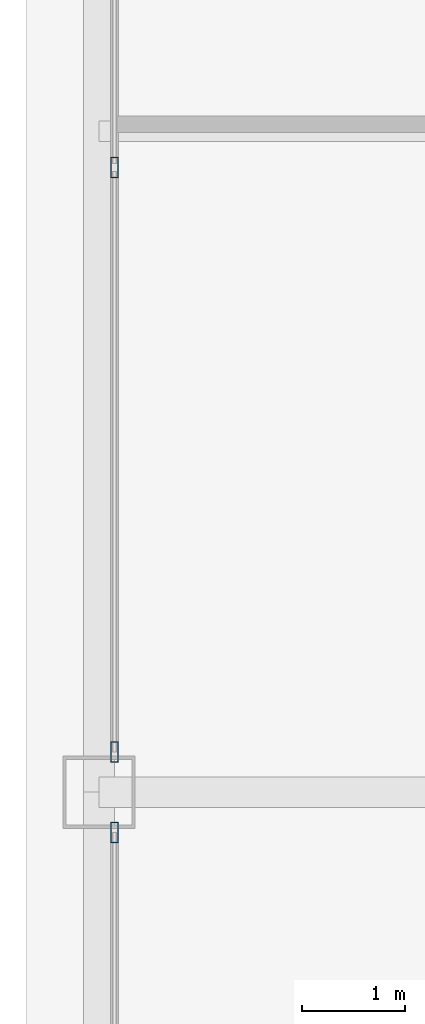
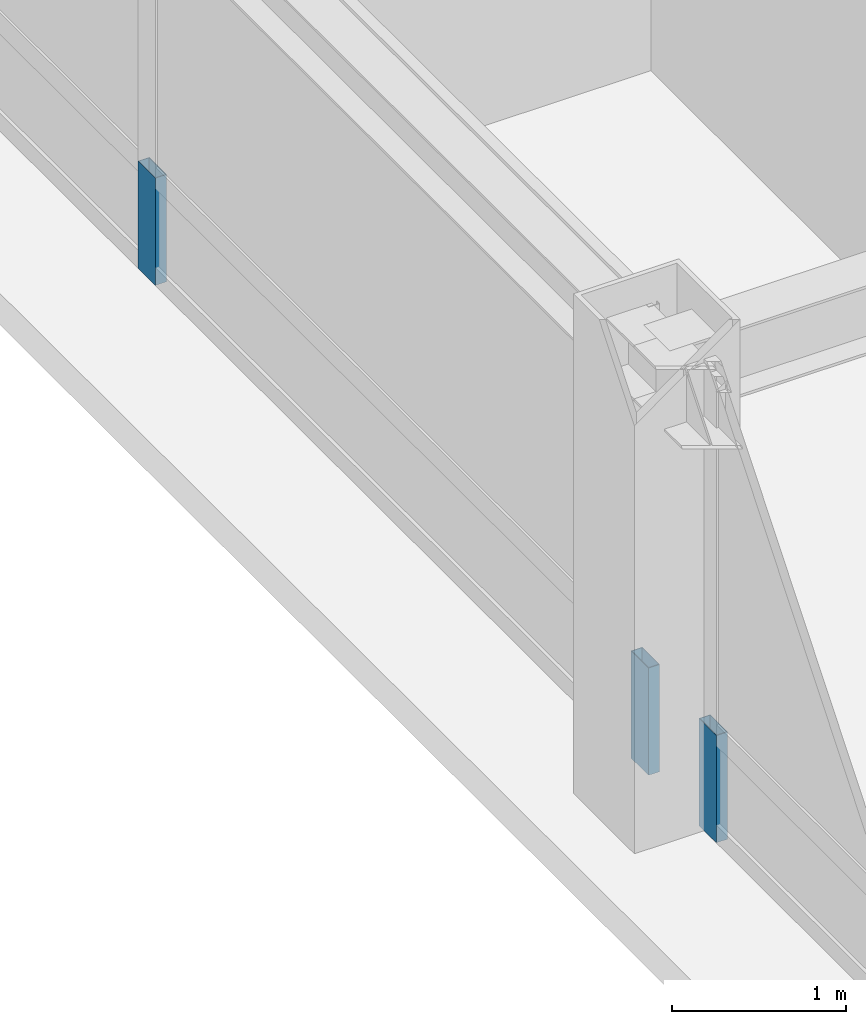
# One storey, part 23 of 34: 3 members, 2 elements without a shape of their own.
"""IFC4 building model written with IfcOpenShell, lengths in metres."""

from ifc_helpers import new_model, si_unit, direction, frame, origin, origin_2d, place, context, subcontext, project, spatial, hollow_rectangle, extrude, source, transform, mapped, material, layer, layer_set, material_profile, profile_set, type_object, element, aggregate, save


model = new_model("IFC4")

# Units and contexts
model_context = context("Model", 3, precision=1e-05, world=origin(), true_north=direction((0.0, 1.0)))
body_context = subcontext(model_context, "Body", "Model", "MODEL_VIEW")
ifc_project = project(units=[si_unit("LENGTHUNIT", "METRE"), si_unit("AREAUNIT", "SQUARE_METRE"), si_unit("VOLUMEUNIT", "CUBIC_METRE"), si_unit("PLANEANGLEUNIT", "RADIAN"), si_unit("MASSUNIT", "GRAM", prefix="KILO"), si_unit("THERMODYNAMICTEMPERATUREUNIT", "KELVIN"), si_unit("POWERUNIT", "WATT")], contexts=[model_context])

# Site, building, storey
site_placement = place(None, origin())
site = spatial("IfcSite", under=ifc_project, at=site_placement, CompositionType="ELEMENT")
building_placement = place(site_placement, origin())
building = spatial("IfcBuilding", under=site, at=building_placement, Name="Yuzanri Waterfront Tower", CompositionType="ELEMENT")
storey_placement = place(building_placement, frame((0.0, 0.0, 328.699951171875)))
storey = spatial("IfcBuildingStorey", under=building, at=storey_placement, Name="L88", CompositionType="ELEMENT", Elevation=328.699951171875)

# Curtain wall, member
ifc_material_1 = material(Name="Anodized Architectural Bronze", Category="metal")
ifc_layer = layer(ifc_material_1, 0.159912109375)
ifc_layer_set = layer_set([ifc_layer], Name="Anodized Architectural Bronze")
curtain_wall_type = type_object("IfcCurtainWallType", Name="Anodized Bronze High-Rise Penthouse High-Wind Unitized Curtain Wall 6900", PredefinedType="NOTDEFINED", material=ifc_layer_set)
curtain_wall_1_placement = place(storey_placement, origin())
curtain_wall_1 = element("IfcCurtainWall", 1, at=curtain_wall_1_placement, inside=storey, type_object=curtain_wall_type, Name="L88 Curtain Wall CW-L88-WL", PredefinedType="NOTDEFINED")
ifc_material_2 = material(Name="Anodized Architectural Bronze", Category="metal")
ifc_material_profile = material_profile(ifc_material_2, hollow_rectangle(XDim=0.074951171875, YDim=0.199951171875, WallThickness=0.00390625, at=origin_2d()), Name="CWM 75x200")
ifc_profile_set = profile_set([ifc_material_profile], Name="Anodized Architectural Bronze")
member_type = type_object("IfcMemberType", Name="Anodized Bronze Primary Curtain-Wall Mullion 75x200", PredefinedType="MULLION", material=ifc_profile_set)
shared_shape = source(origin(), body_context, "Body", "SweptSolid", [
    extrude(hollow_rectangle(XDim=0.074951171875, YDim=0.199951171875, WallThickness=0.00390625, at=origin_2d()), origin(), (0.0, 0.0, 1.0), 0.751953125),
])
member_1_placement = place(storey_placement, frame((18.050048828125, 25.409912109375, 0.0), z_axis=(0.0, 0.0, 1.0), x_axis=(1.0, 0.0, 0.0)))
member_1 = element("IfcMember", 2, at=member_1_placement, type_object=member_type, Name="CW-L88-WL Lower Mullion 02", PredefinedType="MULLION", context=body_context, shape_type="MappedRepresentation", body=[
    mapped(shared_shape, transform((0.0, 0.0, 0.0), scale=1.0)),
])
aggregate(curtain_wall_1, [member_1])

# Curtain wall, members
curtain_wall_2_placement = place(storey_placement, origin())
curtain_wall_2 = element("IfcCurtainWall", 3, at=curtain_wall_2_placement, inside=storey, type_object=curtain_wall_type, Name="L88 Curtain Wall CW-L88-WR", PredefinedType="NOTDEFINED")
member_2_placement = place(storey_placement, frame((18.050048828125, 26.18994140625, 0.0), z_axis=(0.0, 0.0, 1.0), x_axis=(1.0, 0.0, 0.0)))
member_2 = element("IfcMember", 4, at=member_2_placement, type_object=member_type, Name="CW-L88-WR Lower Mullion 00", PredefinedType="MULLION", context=body_context, shape_type="MappedRepresentation", body=[
    mapped(shared_shape, transform((0.0, 0.0, 0.0), scale=1.0)),
])
member_3_placement = place(storey_placement, frame((18.050048828125, 31.85009765625, 0.0), z_axis=(0.0, 0.0, 1.0), x_axis=(1.0, 0.0, 0.0)))
member_3 = element("IfcMember", 5, at=member_3_placement, type_object=member_type, Name="CW-L88-WR Lower Mullion 01", PredefinedType="MULLION", context=body_context, shape_type="MappedRepresentation", body=[
    mapped(shared_shape, transform((0.0, 0.0, 0.0), scale=1.0)),
])
aggregate(curtain_wall_2, [member_2, member_3])

save(model, "model.ifc")
